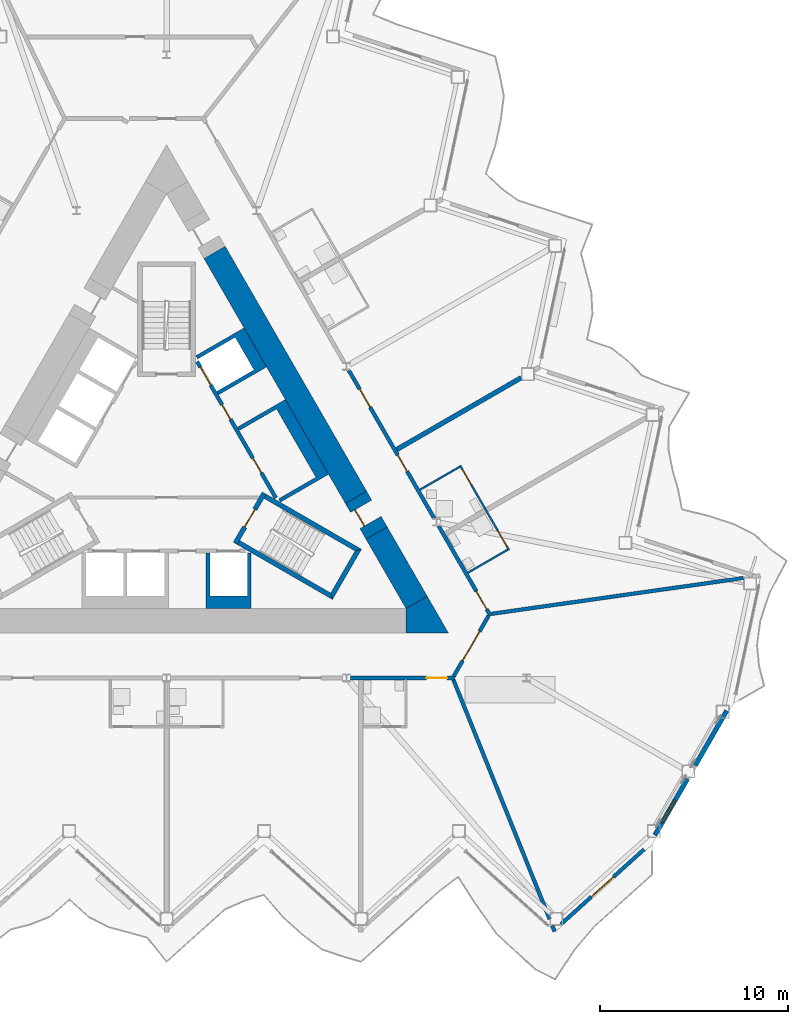
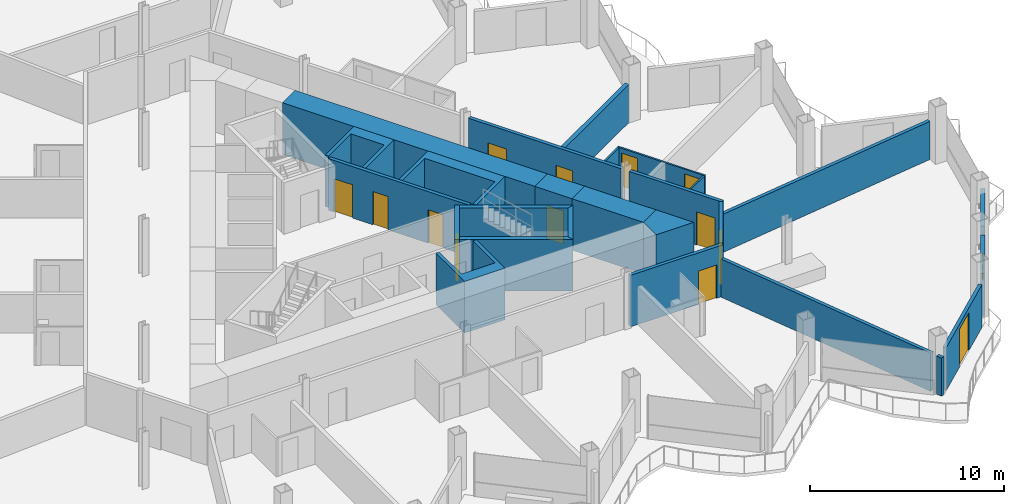
# One storey, part 13 of 24: 26 walls, 13 doors, 1 window, 14 openings.
"""IFC4 building model written with IfcOpenShell, lengths in metres."""

import ifcopenshell
import ifcopenshell.guid

model = None  # the IFC model being written
_history = None  # IfcOwnerHistory: only IFC2X3 demands one
_inside = {}  # id of a spatial element -> (the spatial element, [elements in it])
_under = {}  # id of a project, library or spatial element -> (it, [spatial elements below it])
_declared = {}  # id of a project -> (the project, [libraries it declares])
_typed = {}  # id of a type object -> (the type object, [elements of that type])
_made_of = {}  # id of a material, layer set ... -> (it, [elements and type objects made of it])


def new_model(schema):
    """Start an empty IFC model of exactly this schema.

    Asked for "IFC4X3", IfcOpenShell would pick the latest addendum, in which some entities
    have other attributes; the version numbers below select the first issue.
    IFC2X3 requires an IfcOwnerHistory on every rooted entity: one is made here for all.
    """
    global model, _history
    if schema == "IFC4X3":
        model = ifcopenshell.file(schema_version=(4, 3, 0, 0))
    else:
        model = ifcopenshell.file(schema=schema)
    _inside.clear()
    _under.clear()
    _declared.clear()
    _typed.clear()
    _made_of.clear()
    _history = None
    if model.schema == "IFC2X3":
        org = make("IfcOrganization", Name="unknown")
        user = make(
            "IfcPersonAndOrganization",
            ThePerson=make("IfcPerson", FamilyName="unknown"),
            TheOrganization=org,
        )
        app = make(
            "IfcApplication",
            ApplicationDeveloper=org,
            Version="unknown",
            ApplicationFullName="unknown",
            ApplicationIdentifier="unknown",
        )
        _history = make(
            "IfcOwnerHistory",
            OwningUser=user,
            OwningApplication=app,
            ChangeAction="ADDED",
            CreationDate=0,
        )
    return model


def make(cls, **values):
    """One entity of the class cls with the attributes given. An attribute that is None is left unset."""
    return model.create_entity(
        cls, **{name: value for name, value in values.items() if value is not None}
    )


def rooted(cls, **values):
    """An entity with a GlobalId (a new one), such as an element, a storey or a relation."""
    return make(cls, GlobalId=ifcopenshell.guid.new(), OwnerHistory=_history, **values)


def si_unit(unit_type, name, prefix=None):
    """IfcSIUnit, for example si_unit("LENGTHUNIT", "METRE", prefix="MILLI")."""
    return make("IfcSIUnit", UnitType=unit_type, Prefix=prefix, Name=name)


def assignment(units):
    """IfcUnitAssignment: the units of a project."""
    return None if units is None else make("IfcUnitAssignment", Units=units)


def point(xyz):
    """IfcCartesianPoint."""
    return None if xyz is None else make("IfcCartesianPoint", Coordinates=xyz)


def direction(xyz):
    """IfcDirection."""
    return None if xyz is None else make("IfcDirection", DirectionRatios=xyz)


def frame(location, z_axis=None, x_axis=None):
    """IfcAxis2Placement3D, a coordinate frame: its origin and axes. An axis left out is left unset."""
    return make(
        "IfcAxis2Placement3D",
        Location=point(location),
        Axis=direction(z_axis),
        RefDirection=direction(x_axis),
    )


def frame_2d(location, x_axis=None):
    """IfcAxis2Placement2D, a coordinate frame in the plane: its origin and x axis."""
    return make(
        "IfcAxis2Placement2D", Location=point(location), RefDirection=direction(x_axis)
    )


def origin():
    """The frame at (0, 0, 0) with its axes left unset."""
    return frame((0.0, 0.0, 0.0))


def place(relative_to, where):
    """IfcLocalPlacement: puts the frame where relative to a parent placement (None: the world)."""
    return make(
        "IfcLocalPlacement", PlacementRelTo=relative_to, RelativePlacement=where
    )


def context(
    kind, dimensions, precision=None, world=None, true_north=None, identifier=None
):
    """IfcGeometricRepresentationContext, for example the 3D "Model" context."""
    return make(
        "IfcGeometricRepresentationContext",
        ContextIdentifier=identifier,
        ContextType=kind,
        CoordinateSpaceDimension=dimensions,
        Precision=precision,
        WorldCoordinateSystem=world,
        TrueNorth=true_north,
    )


def subcontext(parent, identifier, kind, view, scale=None):
    """IfcGeometricRepresentationSubContext, for example "Body" below "Model"."""
    return make(
        "IfcGeometricRepresentationSubContext",
        ContextIdentifier=identifier,
        ContextType=kind,
        ParentContext=parent,
        TargetScale=scale,
        TargetView=view,
    )


def project(units=None, contexts=None):
    """IfcProject with its units and contexts."""
    return rooted(
        "IfcProject",
        Name="project",
        RepresentationContexts=contexts,
        UnitsInContext=assignment(units),
    )


def spatial(cls, under=None, at=None, **own):
    """A site, building, storey or space (cls), placed at a placement, below another one or the project."""
    s = rooted(cls, ObjectPlacement=at, **own)
    if under is not None:
        _under.setdefault(under.id(), (under, []))[1].append(s)
    return s


def polyline(points):
    """IfcPolyline through the points."""
    return make("IfcPolyline", Points=[point(p) for p in points])


def profile(cls, at=None, kind="AREA", **sizes):
    """A parametric profile (cls). Its sizes go by their IFC names, for example OverallWidth=200.0."""
    return make(cls, ProfileType=kind, Position=at, **sizes)


def rectangle(**sizes):
    """IfcRectangleProfileDef."""
    return profile("IfcRectangleProfileDef", **sizes)


def outline(outer, holes=None, kind="AREA"):
    """IfcArbitraryClosedProfileDef: a profile drawn as a closed curve; with holes, ...WithVoids."""
    if holes is None:
        return make("IfcArbitraryClosedProfileDef", ProfileType=kind, OuterCurve=outer)
    return make(
        "IfcArbitraryProfileDefWithVoids",
        ProfileType=kind,
        OuterCurve=outer,
        InnerCurves=holes,
    )


def extrude(swept, where, along, depth):
    """IfcExtrudedAreaSolid: the profile swept, set in the frame where, extruded along a direction by depth."""
    return make(
        "IfcExtrudedAreaSolid",
        SweptArea=swept,
        Position=where,
        ExtrudedDirection=direction(along),
        Depth=depth,
    )


def shape(context_of_items, identifier, shape_type, items):
    """IfcShapeRepresentation: the items that make up one representation, for example the "Body"."""
    return make(
        "IfcShapeRepresentation",
        ContextOfItems=context_of_items,
        RepresentationIdentifier=identifier,
        RepresentationType=shape_type,
        Items=items,
    )


def material(Name=None, Category=None):
    """IfcMaterial."""
    return make("IfcMaterial", Name=Name, Category=Category)


def layer(
    of_material, thickness, ventilated=None, Name=None, Category=None, Priority=None
):
    """IfcMaterialLayer: one layer of a wall or slab, of a material (None: an air gap)."""
    return make(
        "IfcMaterialLayer",
        Material=of_material,
        LayerThickness=thickness,
        IsVentilated=ventilated,
        Name=Name,
        Category=Category,
        Priority=Priority,
    )


def layer_set(layers, Name=None):
    """IfcMaterialLayerSet."""
    return make("IfcMaterialLayerSet", MaterialLayers=layers, LayerSetName=Name)


def made_of(thing, what):
    """Note that an element or type object is made of a material, layer set ...; save() writes the relation."""
    if what is not None:
        _made_of.setdefault(what.id(), (what, []))[1].append(thing)
    return thing


def type_object(cls, material=None, **own):
    """A type object (cls), such as IfcWallType, which elements share."""
    return made_of(rooted(cls, **own), material)


def element(
    cls,
    number,
    at=None,
    inside=None,
    cuts=None,
    type_object=None,
    material=None,
    context=None,
    identifier="Body",
    shape_type=None,
    held_by="IfcProductDefinitionShape",
    body=None,
    shapes=None,
    **own,
):
    """One element of the class cls, such as IfcWall. Its Tag is "e" and its number.

    at: its placement. inside: the storey or other place that contains it. cuts: it is an
    opening in that element (IfcRelVoidsElement). A single representation is given by context,
    identifier, shape_type and body (its items); several are given by shapes. held_by: the class
    of the entity that holds the representations. save() writes the other relations.
    """
    e = rooted(cls, Tag="e%d" % number, ObjectPlacement=at, **own)
    if body is not None:
        shapes = [shape(context, identifier, shape_type, body)]
    if shapes is not None:
        e.Representation = make(held_by, Representations=shapes)
    if inside is not None:
        _inside.setdefault(inside.id(), (inside, []))[1].append(e)
    if cuts is not None:
        rooted(
            "IfcRelVoidsElement", RelatingBuildingElement=cuts, RelatedOpeningElement=e
        )
    if type_object is not None:
        _typed.setdefault(type_object.id(), (type_object, []))[1].append(e)
    return made_of(e, material)


def fill(opening, filler):
    """IfcRelFillsElement: the door or window that sits in an opening."""
    return rooted(
        "IfcRelFillsElement",
        RelatingOpeningElement=opening,
        RelatedBuildingElement=filler,
    )


def aggregate(whole, parts):
    """IfcRelAggregates: a whole, such as a stair, and the parts it consists of."""
    return rooted("IfcRelAggregates", RelatingObject=whole, RelatedObjects=parts)


def save(model, path):
    """Write the relations noted so far, then the file.

    IfcRelAggregates (storeys below a building ...), IfcRelContainedInSpatialStructure (elements
    in a storey), IfcRelDefinesByType, IfcRelAssociatesMaterial and IfcRelDeclares: one each for
    every whole, place, type object, material and project.
    """
    for whole, parts in _under.values():
        aggregate(whole, parts)
    for where, things in _inside.values():
        rooted(
            "IfcRelContainedInSpatialStructure",
            RelatedElements=things,
            RelatingStructure=where,
        )
    for kind, things in _typed.values():
        rooted("IfcRelDefinesByType", RelatedObjects=things, RelatingType=kind)
    for what, things in _made_of.values():
        rooted("IfcRelAssociatesMaterial", RelatedObjects=things, RelatingMaterial=what)
    for by, libraries in _declared.values():
        rooted("IfcRelDeclares", RelatingContext=by, RelatedDefinitions=libraries)
    model.write(path)


model = new_model("IFC4")

# Units and contexts
model_context = context("Model", 3, precision=1e-05, world=origin(), true_north=direction((0.0, 1.0)))
body_context = subcontext(model_context, "Body", "Model", "MODEL_VIEW")
ifc_project = project(units=[si_unit("LENGTHUNIT", "METRE"), si_unit("AREAUNIT", "SQUARE_METRE"), si_unit("VOLUMEUNIT", "CUBIC_METRE"), si_unit("PLANEANGLEUNIT", "RADIAN"), si_unit("MASSUNIT", "GRAM", prefix="KILO")], contexts=[model_context])

# Site, building, storey
site_placement = place(None, origin())
site = spatial("IfcSite", under=ifc_project, at=site_placement, CompositionType="ELEMENT")
building_placement = place(site_placement, origin())
building = spatial("IfcBuilding", under=site, at=building_placement, Name="Cormorant Prow Tower", CompositionType="ELEMENT")
storey_placement = place(building_placement, frame((0.0, 0.0, 234.60009765625)))
storey = spatial("IfcBuildingStorey", under=building, at=storey_placement, Name="L51", CompositionType="ELEMENT", Elevation=234.60009765625)

# Walls
ifc_material_1 = material(Name="Concrete 8000 psi", Category="concrete")
ifc_layer_1 = layer(ifc_material_1, 1.300048828125)
ifc_layer_set_1 = layer_set([ifc_layer_1], Name="Concrete 8000 psi")
wall_type_1 = type_object("IfcWallType", Name="Core shear wall 1300", PredefinedType="SHEAR", material=ifc_layer_set_1)
wall_1_placement = place(storey_placement, frame((10.081298828125, -1.440673828125, 0.0), z_axis=(0.0, 0.0, 1.0), x_axis=(-0.500012180433, 0.866018371294, 0.0)))
element("IfcWall", 1, at=wall_1_placement, inside=storey, type_object=wall_type_1, Name="Core wall", PredefinedType="SHEAR", context=body_context, shape_type="SweptSolid", body=[
    extrude(rectangle(XDim=15.05029296875, YDim=1.300048828125, at=frame_2d((7.525146484375, 0.0))), origin(), (0.0, 0.0, 1.0), 3.25),
])
wall_2_placement = place(storey_placement, frame((13.311279296875, -7.035400390625, 0.0), z_axis=(0.0, 0.0, 1.0), x_axis=(-0.500003555838, 0.866023350811, 0.0)))
element("IfcWall", 2, at=wall_2_placement, inside=storey, type_object=wall_type_1, Name="Core wall", PredefinedType="SHEAR", context=body_context, shape_type="SweptSolid", body=[
    extrude(rectangle(XDim=4.26025390625, YDim=1.300048828125, at=frame_2d((2.130126953125, 0.0))), origin(), (0.0, 0.0, 1.0), 3.25),
])
wall_3_placement = place(storey_placement, origin())
element("IfcWall", 3, at=wall_3_placement, inside=storey, type_object=wall_type_1, Name="Core wall corner", PredefinedType="SHEAR", context=body_context, shape_type="SweptSolid", body=[
    extrude(outline(polyline([(12.748291015625, -8.660400390625), (12.748291015625, -7.3603515625), (13.874267578125, -6.710205078125), (15.0, -8.660400390625), (12.748291015625, -8.660400390625)])), origin(), (0.0, 0.0, 1.0), 3.25),
])

# Wall, opening, door
wall_4_placement = place(storey_placement, frame((11.18115234375, -3.345947265625, 0.0), z_axis=(0.0, 0.0, 1.0), x_axis=(-0.499946605688, 0.86605622881, 0.0)))
wall_4 = element("IfcWall", 4, at=wall_4_placement, inside=storey, type_object=wall_type_1, Name="Core wall door panel", PredefinedType="SHEAR", context=body_context, shape_type="SweptSolid", body=[
    extrude(rectangle(XDim=2.199951171875, YDim=1.300048828125, at=frame_2d((1.10009765625, 0.0))), origin(), (0.0, 0.0, 1.0), 3.25),
])
opening_1_placement = place(wall_4_placement, frame((0.64990234375, 0.0, 0.0)))
opening_1 = element("IfcOpeningElement", 5, at=opening_1_placement, cuts=wall_4, Name="Opening L51-C15", PredefinedType="OPENING", context=body_context, shape_type="SweptSolid", body=[
    extrude(rectangle(XDim=1.0, YDim=2.10009765625, at=frame_2d((0.5, 1.050048828125))), frame((0.0, 0.659912109375, 0.0), z_axis=(0.0, -1.0, 0.0), x_axis=(1.0, 0.0, 0.0)), (0.0, 0.0, 1.0), 1.320068359375),
])
ifc_material_2 = material(Name="Painted steel", Category="steel")
door_type_1 = type_object("IfcDoorType", Name="Service door 1000x2100", OperationType="NOTDEFINED", PredefinedType="DOOR", material=ifc_material_2)
door_1_placement = place(opening_1_placement, origin())
door_1 = element("IfcDoor", 6, at=door_1_placement, inside=storey, type_object=door_type_1, Name="Core door, Electrical room", OperationType="SINGLE_SWING_LEFT", OverallHeight=2.10009765625, OverallWidth=1.0, PredefinedType="DOOR", context=body_context, shape_type="SweptSolid", body=[
    extrude(rectangle(XDim=1.0, YDim=2.10009765625, at=frame_2d((0.5, 1.050048828125))), frame((0.0, 0.40478515625, 0.0), z_axis=(0.0, -1.0, 0.0), x_axis=(1.0, 0.0, 0.0)), (0.0, 0.0, 1.0), 0.050048828125),
])
fill(opening_1, door_1)

# Wall, openings, doors
ifc_material_3 = material(Name="Gypsum board corridor wall")
ifc_layer_2 = layer(ifc_material_3, 0.199951171875)
ifc_layer_set_2 = layer_set([ifc_layer_2], Name="Gypsum board corridor wall")
wall_type_2 = type_object("IfcWallType", Name="Corridor wall 200", PredefinedType="PARTITIONING", material=ifc_layer_set_2)
wall_5_placement = place(storey_placement, frame((9.699462890625, 5.320556640625, 0.0), z_axis=(0.0, 0.0, 1.0), x_axis=(0.49998193945, -0.866035830797, 0.0)))
wall_5 = element("IfcWall", 7, at=wall_5_placement, inside=storey, type_object=wall_type_2, Name="Corridor wall", PredefinedType="PARTITIONING", context=body_context, shape_type="SweptSolid", body=[
    extrude(rectangle(XDim=9.094482421875, YDim=0.199951171875, at=frame_2d((4.54736328125, 0.0))), origin(), (0.0, 0.0, 1.0), 3.25),
])
opening_2_placement = place(wall_5_placement, frame((5.2119140625, 0.0, 0.0)))
opening_2 = element("IfcOpeningElement", 8, at=opening_2_placement, cuts=wall_5, Name="Opening L51-F12", PredefinedType="OPENING", context=body_context, shape_type="SweptSolid", body=[
    extrude(rectangle(XDim=1.0, YDim=2.10009765625, at=frame_2d((0.5, 1.050048828125))), frame((0.0, 0.10986328125, 0.0), z_axis=(0.0, -1.0, 0.0), x_axis=(1.0, 0.0, 0.0)), (0.0, 0.0, 1.0), 0.219970703125),
])
opening_3_placement = place(wall_5_placement, frame((1.16162109375, 0.0, 0.0)))
opening_3 = element("IfcOpeningElement", 9, at=opening_3_placement, cuts=wall_5, Name="Opening L51-F14", PredefinedType="OPENING", context=body_context, shape_type="SweptSolid", body=[
    extrude(rectangle(XDim=1.10009765625, YDim=2.10009765625, at=frame_2d((0.550048828125, 1.050048828125))), frame((0.0, 0.10986328125, 0.0), z_axis=(0.0, -1.0, 0.0), x_axis=(1.0, 0.0, 0.0)), (0.0, 0.0, 1.0), 0.219970703125),
])
ifc_material_4 = material(Name="Timber door leaf", Category="wood")
door_type_2 = type_object("IfcDoorType", Name="Flat or room entrance door 1000x2100", OperationType="NOTDEFINED", PredefinedType="DOOR", material=ifc_material_4)
door_2_placement = place(opening_2_placement, origin())
door_2 = element("IfcDoor", 10, at=door_2_placement, inside=storey, type_object=door_type_2, Name="Guest room door", OperationType="SINGLE_SWING_LEFT", OverallHeight=2.10009765625, OverallWidth=1.0, PredefinedType="DOOR", context=body_context, shape_type="SweptSolid", body=[
    extrude(rectangle(XDim=1.0, YDim=2.10009765625, at=frame_2d((0.5, 1.050048828125))), frame((0.0, 0.02490234375, 0.0), z_axis=(0.0, -1.0, 0.0), x_axis=(1.0, 0.0, 0.0)), (0.0, 0.0, 1.0), 0.050048828125),
])
fill(opening_2, door_2)
ifc_material_5 = material(Name="Timber door leaf", Category="wood")
door_type_3 = type_object("IfcDoorType", Name="Suite entrance door 1100x2100", OperationType="NOTDEFINED", PredefinedType="DOOR", material=ifc_material_5)
door_3_placement = place(opening_3_placement, origin())
door_3 = element("IfcDoor", 11, at=door_3_placement, inside=storey, type_object=door_type_3, Name="Junior suite door", OperationType="SINGLE_SWING_RIGHT", OverallHeight=2.10009765625, OverallWidth=1.10009765625, PredefinedType="DOOR", context=body_context, shape_type="SweptSolid", body=[
    extrude(rectangle(XDim=1.10009765625, YDim=2.10009765625, at=frame_2d((0.550048828125, 1.050048828125))), frame((0.0, 0.02490234375, 0.0), z_axis=(0.0, -1.0, 0.0), x_axis=(1.0, 0.0, 0.0)), (0.0, 0.0, 1.0), 0.050048828125),
])
fill(opening_3, door_3)

# Wall, opening, door
wall_6_placement = place(storey_placement, frame((9.7880859375, -11.060302734375, 0.0), z_axis=(0.0, 0.0, 1.0), x_axis=(1.0, 0.0, 0.0)))
wall_6 = element("IfcWall", 12, at=wall_6_placement, inside=storey, type_object=wall_type_2, Name="Corridor wall", PredefinedType="PARTITIONING", context=body_context, shape_type="SweptSolid", body=[
    extrude(rectangle(XDim=5.542724609375, YDim=0.199951171875, at=frame_2d((2.771484375, 0.0))), origin(), (0.0, 0.0, 1.0), 3.25),
])
opening_4_placement = place(wall_6_placement, frame((4.039794921875, 0.0, 0.0)))
opening_4 = element("IfcOpeningElement", 13, at=opening_4_placement, cuts=wall_6, Name="Opening L51-F07", PredefinedType="OPENING", context=body_context, shape_type="SweptSolid", body=[
    extrude(rectangle(XDim=1.10009765625, YDim=2.10009765625, at=frame_2d((0.550048828125, 1.050048828125))), frame((0.0, 0.10986328125, 0.0), z_axis=(0.0, -1.0, 0.0), x_axis=(1.0, 0.0, 0.0)), (0.0, 0.0, 1.0), 0.219970703125),
])
door_4_placement = place(opening_4_placement, origin())
door_4 = element("IfcDoor", 14, at=door_4_placement, inside=storey, type_object=door_type_3, Name="Junior suite door", OperationType="SINGLE_SWING_RIGHT", OverallHeight=2.10009765625, OverallWidth=1.10009765625, PredefinedType="DOOR", context=body_context, shape_type="SweptSolid", body=[
    extrude(rectangle(XDim=1.10009765625, YDim=2.10009765625, at=frame_2d((0.550048828125, 1.050048828125))), frame((0.0, 0.02490234375, 0.0), z_axis=(0.0, -1.0, 0.0), x_axis=(1.0, 0.0, 0.0)), (0.0, 0.0, 1.0), 0.050048828125),
])
fill(opening_4, door_4)

wall_7_placement = place(storey_placement, frame((14.488525390625, -2.974609375, 0.0), z_axis=(0.0, 0.0, 1.0), x_axis=(0.500017753321, -0.866015153657, 0.0)))
wall_7 = element("IfcWall", 15, at=wall_7_placement, inside=storey, type_object=wall_type_2, Name="Corridor wall", PredefinedType="PARTITIONING", context=body_context, shape_type="SweptSolid", body=[
    extrude(rectangle(XDim=5.510498046875, YDim=0.199951171875, at=frame_2d((2.75537109375, 0.0))), origin(), (0.0, 0.0, 1.0), 3.25),
])
opening_5_placement = place(wall_7_placement, frame((4.009765625, 0.0, 0.0)))
opening_5 = element("IfcOpeningElement", 16, at=opening_5_placement, cuts=wall_7, Name="Opening L51-F10", PredefinedType="OPENING", context=body_context, shape_type="SweptSolid", body=[
    extrude(rectangle(XDim=1.10009765625, YDim=2.10009765625, at=frame_2d((0.550048828125, 1.050048828125))), frame((0.0, 0.10986328125, 0.0), z_axis=(0.0, -1.0, 0.0), x_axis=(1.0, 0.0, 0.0)), (0.0, 0.0, 1.0), 0.219970703125),
])
door_5_placement = place(opening_5_placement, origin())
door_5 = element("IfcDoor", 17, at=door_5_placement, inside=storey, type_object=door_type_3, Name="Junior suite door", OperationType="SINGLE_SWING_RIGHT", OverallHeight=2.10009765625, OverallWidth=1.10009765625, PredefinedType="DOOR", context=body_context, shape_type="SweptSolid", body=[
    extrude(rectangle(XDim=1.10009765625, YDim=2.10009765625, at=frame_2d((0.550048828125, 1.050048828125))), frame((0.0, 0.02490234375, 0.0), z_axis=(0.0, -1.0, 0.0), x_axis=(1.0, 0.0, 0.0)), (0.0, 0.0, 1.0), 0.050048828125),
])
fill(opening_5, door_5)

wall_8_placement = place(storey_placement, frame((15.281005859375, -10.9736328125, 0.0), z_axis=(0.0, 0.0, 1.0), x_axis=(0.499958791762, 0.866049194065, 0.0)))
wall_8 = element("IfcWall", 18, at=wall_8_placement, inside=storey, type_object=wall_type_2, Name="Corridor wall", PredefinedType="PARTITIONING", context=body_context, shape_type="SweptSolid", body=[
    extrude(rectangle(XDim=3.725830078125, YDim=0.199951171875, at=frame_2d((1.86279296875, 0.0))), origin(), (0.0, 0.0, 1.0), 3.25),
])
opening_6_placement = place(wall_8_placement, frame((0.962890625, 0.0, 0.0)))
opening_6 = element("IfcOpeningElement", 19, at=opening_6_placement, cuts=wall_8, Name="Opening L51-F09", PredefinedType="OPENING", context=body_context, shape_type="SweptSolid", body=[
    extrude(rectangle(XDim=1.800048828125, YDim=2.10009765625, at=frame_2d((0.89990234375, 1.050048828125))), frame((0.0, 0.10986328125, 0.0), z_axis=(0.0, -1.0, 0.0), x_axis=(1.0, 0.0, 0.0)), (0.0, 0.0, 1.0), 0.219970703125),
])
ifc_material_6 = material(Name="Timber door leaf", Category="wood")
door_type_4 = type_object("IfcDoorType", Name="Double door 1800x2100", OperationType="DOUBLE_DOOR_SINGLE_SWING", PredefinedType="DOOR", material=ifc_material_6)
door_6_placement = place(opening_6_placement, origin())
door_6 = element("IfcDoor", 20, at=door_6_placement, inside=storey, type_object=door_type_4, Name="Co-working space door", OperationType="DOUBLE_DOOR_SINGLE_SWING", OverallHeight=2.10009765625, OverallWidth=1.800048828125, PredefinedType="DOOR", context=body_context, shape_type="SweptSolid", body=[
    extrude(rectangle(XDim=1.800048828125, YDim=2.10009765625, at=frame_2d((0.89990234375, 1.050048828125))), frame((0.0, 0.02490234375, 0.0), z_axis=(0.0, -1.0, 0.0), x_axis=(1.0, 0.0, 0.0)), (0.0, 0.0, 1.0), 0.050048828125),
])
fill(opening_6, door_6)

# Walls
ifc_material_7 = material(Name="Gypsum board demising wall")
ifc_layer_3 = layer(ifc_material_7, 0.199951171875)
ifc_layer_set_3 = layer_set([ifc_layer_3], Name="Gypsum board demising wall")
wall_type_3 = type_object("IfcWallType", Name="Demising wall 200", PredefinedType="PARTITIONING", material=ifc_layer_set_3)
wall_9_placement = place(storey_placement, frame((15.268310546875, -11.153076171875, 0.0), z_axis=(0.0, 0.0, 1.0), x_axis=(0.373096979113, -0.927792349708, 0.0)))
element("IfcWall", 21, at=wall_9_placement, inside=storey, type_object=wall_type_3, Name="Demising wall", PredefinedType="PARTITIONING", context=body_context, shape_type="SweptSolid", body=[
    extrude(rectangle(XDim=13.73583984375, YDim=0.199951171875, at=frame_2d((6.867919921875, 0.0))), origin(), (0.0, 0.0, 1.0), 2.404052734375),
])
wall_10_placement = place(storey_placement, frame((17.29296875, -7.64599609375, 0.0), z_axis=(0.0, 0.0, 1.0), x_axis=(0.990042285303, 0.140770285614, 0.0)))
element("IfcWall", 22, at=wall_10_placement, inside=storey, type_object=wall_type_3, Name="Demising wall", PredefinedType="PARTITIONING", context=body_context, shape_type="SweptSolid", body=[
    extrude(rectangle(XDim=13.544921875, YDim=0.199951171875, at=frame_2d((6.7724609375, 0.0))), origin(), (0.0, 0.0, 1.0), 2.404052734375),
])
wall_11_placement = place(storey_placement, frame((20.53369140625, -24.246826171875, 0.0), z_axis=(0.0, 0.0, 1.0), x_axis=(0.372801499492, -0.927911117498, 0.0)))
element("IfcWall", 23, at=wall_11_placement, inside=storey, type_object=wall_type_3, Name="Demising wall", PredefinedType="PARTITIONING", context=body_context, shape_type="SweptSolid", body=[
    extrude(rectangle(XDim=0.328125, YDim=0.199951171875, at=frame_2d((0.1640625, 0.0))), origin(), (0.0, 0.0, 1.0), 2.404052734375),
])

# Wall, openings, doors
ifc_material_8 = material(Name="Gypsum board partition")
ifc_layer_4 = layer(ifc_material_8, 0.10009765625)
ifc_layer_set_4 = layer_set([ifc_layer_4], Name="Gypsum board partition")
wall_type_4 = type_object("IfcWallType", Name="Internal partition 100", PredefinedType="PARTITIONING", material=ifc_layer_set_4)
wall_12_placement = place(storey_placement, frame((15.626953125, 0.253662109375, 0.0), z_axis=(0.0, 0.0, 1.0), x_axis=(0.500027264788, -0.866009661879, 0.0)))
wall_12 = element("IfcWall", 24, at=wall_12_placement, inside=storey, type_object=wall_type_4, Name="Internal partition", PredefinedType="PARTITIONING", context=body_context, shape_type="SweptSolid", body=[
    extrude(rectangle(XDim=5.199951171875, YDim=0.10009765625, at=frame_2d((2.60009765625, 0.0))), origin(), (0.0, 0.0, 1.0), 2.404052734375),
])
opening_7_placement = place(wall_12_placement, frame((4.0, 0.0, 0.0)))
opening_7 = element("IfcOpeningElement", 25, at=opening_7_placement, cuts=wall_12, Name="Opening L51-F11", PredefinedType="OPENING", context=body_context, shape_type="SweptSolid", body=[
    extrude(rectangle(XDim=0.949951171875, YDim=2.10009765625, at=frame_2d((0.47509765625, 1.050048828125))), frame((0.0, 0.06005859375, 0.0), z_axis=(0.0, -1.0, 0.0), x_axis=(1.0, 0.0, 0.0)), (0.0, 0.0, 1.0), 0.1201171875),
])
opening_8_placement = place(wall_12_placement, frame((0.25, 0.0, 0.0)))
opening_8 = element("IfcOpeningElement", 26, at=opening_8_placement, cuts=wall_12, Name="Opening L51-F13", PredefinedType="OPENING", context=body_context, shape_type="SweptSolid", body=[
    extrude(rectangle(XDim=0.949951171875, YDim=2.10009765625, at=frame_2d((0.47509765625, 1.050048828125))), frame((0.0, 0.06005859375, 0.0), z_axis=(0.0, -1.0, 0.0), x_axis=(1.0, 0.0, 0.0)), (0.0, 0.0, 1.0), 0.1201171875),
])
ifc_material_9 = material(Name="Timber door leaf", Category="wood")
door_type_5 = type_object("IfcDoorType", Name="Bathroom door 950x2100", OperationType="NOTDEFINED", PredefinedType="DOOR", material=ifc_material_9)
door_7_placement = place(opening_7_placement, origin())
door_7 = element("IfcDoor", 27, at=door_7_placement, inside=storey, type_object=door_type_5, Name="Junior suite door", OperationType="SINGLE_SWING_RIGHT", OverallHeight=2.10009765625, OverallWidth=0.949951171875, PredefinedType="DOOR", context=body_context, shape_type="SweptSolid", body=[
    extrude(rectangle(XDim=0.949951171875, YDim=2.10009765625, at=frame_2d((0.47509765625, 1.050048828125))), frame((0.0, 0.02490234375, 0.0), z_axis=(0.0, -1.0, 0.0), x_axis=(1.0, 0.0, 0.0)), (0.0, 0.0, 1.0), 0.050048828125),
])
fill(opening_7, door_7)
door_8_placement = place(opening_8_placement, origin())
door_8 = element("IfcDoor", 28, at=door_8_placement, inside=storey, type_object=door_type_5, Name="Guest room door", OperationType="SINGLE_SWING_LEFT", OverallHeight=2.10009765625, OverallWidth=0.949951171875, PredefinedType="DOOR", context=body_context, shape_type="SweptSolid", body=[
    extrude(rectangle(XDim=0.949951171875, YDim=2.10009765625, at=frame_2d((0.47509765625, 1.050048828125))), frame((0.0, 0.02490234375, 0.0), z_axis=(0.0, -1.0, 0.0), x_axis=(1.0, 0.0, 0.0)), (0.0, 0.0, 1.0), 0.050048828125),
])
fill(opening_8, door_8)

# Walls
wall_13_placement = place(storey_placement, frame((16.037109375, -5.456298828125, 0.0), z_axis=(0.0, 0.0, 1.0), x_axis=(0.865989751695, 0.500061746146, 0.0)))
element("IfcWall", 29, at=wall_13_placement, inside=storey, type_object=wall_type_4, Name="Internal partition", PredefinedType="PARTITIONING", context=body_context, shape_type="SweptSolid", body=[
    extrude(rectangle(XDim=2.449951171875, YDim=0.10009765625, at=frame_2d((1.22509765625, 0.0))), origin(), (0.0, 0.0, 1.0), 2.404052734375),
])
wall_14_placement = place(storey_placement, frame((13.487060546875, -1.03955078125, 0.0), z_axis=(0.0, 0.0, 1.0), x_axis=(0.866032905446, 0.499987006516, 0.0)))
element("IfcWall", 30, at=wall_14_placement, inside=storey, type_object=wall_type_4, Name="Internal partition", PredefinedType="PARTITIONING", context=body_context, shape_type="SweptSolid", body=[
    extrude(rectangle(XDim=2.44970703125, YDim=0.10009765625, at=frame_2d((1.224853515625, 0.0))), origin(), (0.0, 0.0, 1.0), 2.404052734375),
])

# Wall, openings, doors
ifc_material_10 = material(Name="Concrete 5000 psi", Category="concrete")
ifc_layer_5 = layer(ifc_material_10, 0.199951171875)
ifc_layer_set_5 = layer_set([ifc_layer_5], Name="Concrete 5000 psi")
wall_type_5 = type_object("IfcWallType", Name="Lift lobby wall 200", PredefinedType="SOLIDWALL", material=ifc_layer_set_5)
wall_15_placement = place(storey_placement, frame((5.817138671875, -1.4755859375, 0.0), z_axis=(0.0, 0.0, 1.0), x_axis=(-0.500002616675, 0.866023893041, 0.0)))
wall_15 = element("IfcWall", 31, at=wall_15_placement, inside=storey, type_object=wall_type_5, Name="Lift lobby wall, ENE block", PredefinedType="SOLIDWALL", context=body_context, shape_type="SweptSolid", body=[
    extrude(rectangle(XDim=8.373046875, YDim=0.199951171875, at=frame_2d((4.1865234375, 0.0))), origin(), (0.0, 0.0, 1.0), 3.25),
])
opening_9_placement = place(wall_15_placement, frame((1.53662109375, 0.0, 0.0)))
opening_9 = element("IfcOpeningElement", 32, at=opening_9_placement, cuts=wall_15, Name="Opening L51-C05", PredefinedType="OPENING", context=body_context, shape_type="SweptSolid", body=[
    extrude(rectangle(XDim=0.89990234375, YDim=2.10009765625, at=frame_2d((0.449951171875, 1.050048828125))), frame((0.0, 0.10986328125, 0.0), z_axis=(0.0, -1.0, 0.0), x_axis=(1.0, 0.0, 0.0)), (0.0, 0.0, 1.0), 0.219970703125),
])
opening_10_placement = place(wall_15_placement, frame((4.836669921875, 0.0, 0.0)))
opening_10 = element("IfcOpeningElement", 33, at=opening_10_placement, cuts=wall_15, Name="Opening L51-C06", PredefinedType="OPENING", context=body_context, shape_type="SweptSolid", body=[
    extrude(rectangle(XDim=0.89990234375, YDim=2.10009765625, at=frame_2d((0.449951171875, 1.050048828125))), frame((0.0, 0.10986328125, 0.0), z_axis=(0.0, -1.0, 0.0), x_axis=(1.0, 0.0, 0.0)), (0.0, 0.0, 1.0), 0.219970703125),
])
opening_11_placement = place(wall_15_placement, frame((6.9365234375, 0.0, 0.0)))
opening_11 = element("IfcOpeningElement", 34, at=opening_11_placement, cuts=wall_15, Name="Opening L51-C07", PredefinedType="OPENING", context=body_context, shape_type="SweptSolid", body=[
    extrude(rectangle(XDim=1.10009765625, YDim=2.10009765625, at=frame_2d((0.550048828125, 1.050048828125))), frame((0.0, 0.10986328125, 0.0), z_axis=(0.0, -1.0, 0.0), x_axis=(1.0, 0.0, 0.0)), (0.0, 0.0, 1.0), 0.219970703125),
])
ifc_material_11 = material(Name="Painted steel", Category="steel")
door_type_6 = type_object("IfcDoorType", Name="Lift landing door 1100x2100", OperationType="SLIDING_TO_LEFT", PredefinedType="DOOR", material=ifc_material_11)
door_9_placement = place(opening_11_placement, origin())
door_9 = element("IfcDoor", 35, at=door_9_placement, inside=storey, type_object=door_type_6, Name="Landing door MR1", OperationType="SLIDING_TO_LEFT", OverallHeight=2.10009765625, OverallWidth=1.10009765625, PredefinedType="DOOR", context=body_context, shape_type="SweptSolid", body=[
    extrude(rectangle(XDim=1.10009765625, YDim=2.10009765625, at=frame_2d((0.550048828125, 1.050048828125))), frame((0.0, 0.02490234375, 0.0), z_axis=(0.0, -1.0, 0.0), x_axis=(1.0, 0.0, 0.0)), (0.0, 0.0, 1.0), 0.050048828125),
])
fill(opening_11, door_9)
ifc_material_12 = material(Name="Painted steel", Category="steel")
door_type_7 = type_object("IfcDoorType", Name="Service door 900x2100", OperationType="NOTDEFINED", PredefinedType="DOOR", material=ifc_material_12)
door_10_placement = place(opening_9_placement, origin())
door_10 = element("IfcDoor", 36, at=door_10_placement, inside=storey, type_object=door_type_7, Name="Service door, Telecom room", OperationType="SINGLE_SWING_LEFT", OverallHeight=2.10009765625, OverallWidth=0.89990234375, PredefinedType="DOOR", context=body_context, shape_type="SweptSolid", body=[
    extrude(rectangle(XDim=0.89990234375, YDim=2.10009765625, at=frame_2d((0.449951171875, 1.050048828125))), frame((0.0, 0.02490234375, 0.0), z_axis=(0.0, -1.0, 0.0), x_axis=(1.0, 0.0, 0.0)), (0.0, 0.0, 1.0), 0.050048828125),
])
fill(opening_9, door_10)
door_11_placement = place(opening_10_placement, origin())
door_11 = element("IfcDoor", 37, at=door_11_placement, inside=storey, type_object=door_type_7, Name="Service door, Electrical room", OperationType="SINGLE_SWING_RIGHT", OverallHeight=2.10009765625, OverallWidth=0.89990234375, PredefinedType="DOOR", context=body_context, shape_type="SweptSolid", body=[
    extrude(rectangle(XDim=0.89990234375, YDim=2.10009765625, at=frame_2d((0.449951171875, 1.050048828125))), frame((0.0, 0.02490234375, 0.0), z_axis=(0.0, -1.0, 0.0), x_axis=(1.0, 0.0, 0.0)), (0.0, 0.0, 1.0), 0.050048828125),
])
fill(opening_10, door_11)

# Walls
ifc_material_13 = material(Name="Concrete 8000 psi", Category="concrete")
ifc_layer_6 = layer(ifc_material_13, 0.199951171875)
ifc_layer_set_6 = layer_set([ifc_layer_6], Name="Concrete 8000 psi")
wall_type_6 = type_object("IfcWallType", Name="Lift shaft wall 200", PredefinedType="SHEAR", material=ifc_layer_set_6)
wall_16_placement = place(storey_placement, origin())
element("IfcWall", 38, at=wall_16_placement, inside=storey, type_object=wall_type_6, Name="Lift shaft walls, S block", PredefinedType="SHEAR", context=body_context, shape_type="SweptSolid", body=[
    extrude(outline(polyline([(2.10009765625, -7.3603515625), (2.10009765625, -4.39990234375), (2.300048828125, -4.39990234375), (2.300048828125, -6.699951171875), (4.300048828125, -6.699951171875), (4.300048828125, -4.39990234375), (4.5, -4.39990234375), (4.5, -7.3603515625), (2.10009765625, -7.3603515625)])), origin(), (0.0, 0.0, 1.0), 3.25),
])
wall_17_placement = place(storey_placement, origin())
element("IfcWall", 39, at=wall_17_placement, inside=storey, type_object=wall_type_6, Name="Lift shaft walls, ENE block", PredefinedType="SHEAR", context=body_context, shape_type="SweptSolid", body=[
    extrude(outline(polyline([(6.32421875, 3.7666015625), (8.624267578125, -0.217041015625), (8.230712890625, -0.444091796875), (6.060546875, -1.697021484375), (5.96044921875, -1.52392578125), (7.952392578125, -0.373779296875), (5.852294921875, 3.263427734375), (3.860595703125, 2.11328125), (3.760498046875, 2.28662109375), (5.930908203125, 3.53955078125), (6.32421875, 3.7666015625)])), origin(), (0.0, 0.0, 1.0), 3.25),
])
wall_18_placement = place(storey_placement, origin())
element("IfcWall", 40, at=wall_18_placement, inside=storey, type_object=wall_type_6, Name="Lift shaft walls, ENE block", PredefinedType="SHEAR", context=body_context, shape_type="SweptSolid", body=[
    extrude(outline(polyline([(5.32421875, 5.498779296875), (4.930908203125, 5.271728515625), (2.760498046875, 4.018798828125), (2.660400390625, 4.19189453125), (4.65234375, 5.341796875), (3.65234375, 7.073974609375), (1.660400390625, 5.923828125), (1.560546875, 6.09716796875), (3.730712890625, 7.35009765625), (4.124267578125, 7.5771484375), (5.32421875, 5.498779296875)])), origin(), (0.0, 0.0, 1.0), 3.25),
])
ifc_material_14 = material(Name="Concrete 8000 psi", Category="concrete")
ifc_layer_7 = layer(ifc_material_14, 0.25)
ifc_layer_set_7 = layer_set([ifc_layer_7], Name="Concrete 8000 psi")
wall_type_7 = type_object("IfcWallType", Name="Stair wall 250", PredefinedType="SHEAR", material=ifc_layer_set_7)
wall_19_placement = place(storey_placement, origin())
element("IfcWall", 41, at=wall_19_placement, inside=storey, type_object=wall_type_7, Name="Stair ST2 enclosure wall (flank)", PredefinedType="SHEAR", context=body_context, shape_type="SweptSolid", body=[
    extrude(outline(polyline([(3.76318359375, -3.95556640625), (8.82958984375, -6.880615234375), (8.738037109375, -6.5390625), (3.88818359375, -3.739013671875), (3.76318359375, -3.95556640625)])), origin(), (0.0, 0.0, 1.0), 3.25),
])
wall_20_placement = place(storey_placement, origin())
element("IfcWall", 42, at=wall_20_placement, inside=storey, type_object=wall_type_7, Name="Stair ST2 enclosure wall (end)", PredefinedType="SHEAR", context=body_context, shape_type="SweptSolid", body=[
    extrude(outline(polyline([(8.82958984375, -6.880615234375), (10.37353515625, -4.206298828125), (10.031982421875, -4.2978515625), (8.738037109375, -6.5390625), (8.82958984375, -6.880615234375)])), origin(), (0.0, 0.0, 1.0), 3.25),
])
wall_21_placement = place(storey_placement, origin())
element("IfcWall", 43, at=wall_21_placement, inside=storey, type_object=wall_type_7, Name="Stair ST2 enclosure wall (flank)", PredefinedType="SHEAR", context=body_context, shape_type="SweptSolid", body=[
    extrude(outline(polyline([(10.031982421875, -4.2978515625), (10.37353515625, -4.206298828125), (5.30712890625, -1.28125), (5.18212890625, -1.497802734375), (10.031982421875, -4.2978515625)])), origin(), (0.0, 0.0, 1.0), 3.25),
])

# Wall, opening, door
wall_22_placement = place(storey_placement, frame((3.655029296875, -3.89306640625, 0.0), z_axis=(0.0, 0.0, 1.0), x_axis=(0.499982516597, 0.866035497597, 0.0)))
wall_22 = element("IfcWall", 44, at=wall_22_placement, inside=storey, type_object=wall_type_7, Name="Stair ST2 door wall", PredefinedType="SHEAR", context=body_context, shape_type="SweptSolid", body=[
    extrude(rectangle(XDim=3.087890625, YDim=0.25, at=frame_2d((1.5439453125, 0.0))), origin(), (0.0, 0.0, 1.0), 3.25),
])
opening_12_placement = place(wall_22_placement, frame((0.993896484375, 0.0, 0.0)))
opening_12 = element("IfcOpeningElement", 45, at=opening_12_placement, cuts=wall_22, Name="Opening L51-C12", PredefinedType="OPENING", context=body_context, shape_type="SweptSolid", body=[
    extrude(rectangle(XDim=1.10009765625, YDim=2.10009765625, at=frame_2d((0.550048828125, 1.050048828125))), frame((0.0, 0.135009765625, 0.0), z_axis=(0.0, -1.0, 0.0), x_axis=(1.0, 0.0, 0.0)), (0.0, 0.0, 1.0), 0.27001953125),
])
ifc_material_15 = material(Name="Painted steel", Category="steel")
door_type_8 = type_object("IfcDoorType", Name="Stair door 1100x2100", OperationType="NOTDEFINED", PredefinedType="DOOR", material=ifc_material_15)
door_12_placement = place(opening_12_placement, origin())
door_12 = element("IfcDoor", 46, at=door_12_placement, inside=storey, type_object=door_type_8, Name="Stair ST2 door", OperationType="SINGLE_SWING_RIGHT", OverallHeight=2.10009765625, OverallWidth=1.10009765625, PredefinedType="DOOR", context=body_context, shape_type="SweptSolid", body=[
    extrude(rectangle(XDim=1.10009765625, YDim=2.10009765625, at=frame_2d((0.550048828125, 1.050048828125))), frame((0.0, 0.02490234375, 0.0), z_axis=(0.0, -1.0, 0.0), x_axis=(1.0, 0.0, 0.0)), (0.0, 0.0, 1.0), 0.050048828125),
])
fill(opening_12, door_12)

# Wall
ifc_material_16 = material(Name="Acoustic gypsum party wall")
ifc_layer_8 = layer(ifc_material_16, 0.25)
ifc_layer_set_8 = layer_set([ifc_layer_8], Name="Acoustic gypsum party wall")
wall_type_8 = type_object("IfcWallType", Name="Suite party wall 250", PredefinedType="PARTITIONING", material=ifc_layer_set_8)
wall_23_placement = place(storey_placement, frame((12.2509765625, 1.10107421875, 0.0), z_axis=(0.0, 0.0, 1.0), x_axis=(0.866020808234, 0.500007959642, 0.0)))
element("IfcWall", 47, at=wall_23_placement, inside=storey, type_object=wall_type_8, Name="Suite party wall", PredefinedType="PARTITIONING", context=body_context, shape_type="SweptSolid", body=[
    extrude(rectangle(XDim=7.64892578125, YDim=0.25, at=frame_2d((3.824462890625, 0.0))), origin(), (0.0, 0.0, 1.0), 2.404052734375),
])

# Wall, opening, window
ifc_material_17 = material(Name="Terracotta", Category="masonry")
ifc_layer_9 = layer(ifc_material_17, 0.25)
ifc_layer_set_9 = layer_set([ifc_layer_9], Name="Terracotta")
wall_type_9 = type_object("IfcWallType", Name="Terracotta bay wall 250", PredefinedType="SOLIDWALL", material=ifc_layer_set_9)
wall_24_placement = place(storey_placement, frame((26.001708984375, -19.426513671875, 0.0), z_axis=(0.0, 0.0, 1.0), x_axis=(0.499987726745, 0.866032489635, 0.0)))
wall_24 = element("IfcWall", 48, at=wall_24_placement, inside=storey, type_object=wall_type_9, Name="Terracotta bay wall ESE00", PredefinedType="SOLIDWALL", context=body_context, shape_type="SweptSolid", body=[
    extrude(rectangle(XDim=3.4521484375, YDim=0.25, at=frame_2d((1.72607421875, 0.0))), origin(), (0.0, 0.0, 1.0), 2.70068359375),
])
opening_13_placement = place(wall_24_placement, frame((0.75, 0.0, 1.800048828125)))
opening_13 = element("IfcOpeningElement", 49, at=opening_13_placement, cuts=wall_24, Name="Opening WN4", PredefinedType="OPENING", context=body_context, shape_type="SweptSolid", body=[
    extrude(rectangle(XDim=1.39990234375, YDim=0.699951171875, at=frame_2d((0.699951171875, 0.35009765625))), frame((0.0, 0.135009765625, 0.0), z_axis=(0.0, -1.0, 0.0), x_axis=(1.0, 0.0, 0.0)), (0.0, 0.0, 1.0), 0.27001953125),
])
ifc_material_18 = material(Name="Aluminium 6063-T6", Category="aluminium")
window_type = type_object("IfcWindowType", Name="Corner bay window 1400x700", PartitioningType="SINGLE_PANEL", PredefinedType="WINDOW", material=ifc_material_18)
window_placement = place(opening_13_placement, origin())
window = element("IfcWindow", 50, at=window_placement, inside=storey, type_object=window_type, Name="Corner bay window ESE00", OverallHeight=0.699951171875, OverallWidth=1.39990234375, PartitioningType="SINGLE_PANEL", PredefinedType="WINDOW", context=body_context, shape_type="SweptSolid", body=[
    extrude(rectangle(XDim=1.39990234375, YDim=0.699951171875, at=frame_2d((0.699951171875, 0.35009765625))), frame((0.0, 0.030029296875, 0.0), z_axis=(0.0, -1.0, 0.0), x_axis=(1.0, 0.0, 0.0)), (0.0, 0.0, 1.0), 0.06005859375),
])
fill(opening_13, window)

# Wall
wall_25_placement = place(storey_placement, frame((28.146484375, -15.711669921875, 0.0), z_axis=(0.0, 0.0, 1.0), x_axis=(0.500003693016, 0.86602327161, 0.0)))
element("IfcWall", 51, at=wall_25_placement, inside=storey, type_object=wall_type_9, Name="Terracotta bay wall ESE01", PredefinedType="SOLIDWALL", context=body_context, shape_type="SweptSolid", body=[
    extrude(rectangle(XDim=3.3564453125, YDim=0.25, at=frame_2d((1.67822265625, 0.0))), origin(), (0.0, 0.0, 1.0), 2.70068359375),
])

# Wall, opening, door
ifc_material_19 = material(Name="Terracotta", Category="masonry")
ifc_layer_10 = layer(ifc_material_19, 0.199951171875)
ifc_layer_set_10 = layer_set([ifc_layer_10], Name="Terracotta")
wall_type_10 = type_object("IfcWallType", Name="Terracotta jamb wall 200", PredefinedType="SOLIDWALL", material=ifc_layer_set_10)
wall_26_placement = place(storey_placement, frame((20.992919921875, -24.170166015625, 0.0), z_axis=(0.0, 0.0, 1.0), x_axis=(0.743143336638, 0.669132259878, 0.0)))
wall_26 = element("IfcWall", 52, at=wall_26_placement, inside=storey, type_object=wall_type_10, Name="Terracotta jamb wall S09", PredefinedType="SOLIDWALL", context=body_context, shape_type="SweptSolid", body=[
    extrude(rectangle(XDim=5.95751953125, YDim=0.199951171875, at=frame_2d((2.978759765625, 0.0))), origin(), (0.0, 0.0, 1.0), 2.70068359375),
])
opening_14_placement = place(wall_26_placement, frame((2.1787109375, 0.0, 0.0)))
opening_14 = element("IfcOpeningElement", 53, at=opening_14_placement, cuts=wall_26, Name="Opening ED51.05", PredefinedType="OPENING", context=body_context, shape_type="SweptSolid", body=[
    extrude(rectangle(XDim=1.60009765625, YDim=2.39990234375, at=frame_2d((0.800048828125, 1.199951171875))), frame((0.0, 0.10986328125, 0.0), z_axis=(0.0, -1.0, 0.0), x_axis=(1.0, 0.0, 0.0)), (0.0, 0.0, 1.0), 0.219970703125),
])
ifc_material_20 = material(Name="Aluminium 6063-T6", Category="aluminium")
door_type_9 = type_object("IfcDoorType", Name="Balcony door 1600x2400", OperationType="DOUBLE_DOOR_SINGLE_SWING", PredefinedType="DOOR", material=ifc_material_20)
door_13_placement = place(opening_14_placement, origin())
door_13 = element("IfcDoor", 54, at=door_13_placement, inside=storey, type_object=door_type_9, Name="Balcony door S09 ED51.05", OperationType="DOUBLE_DOOR_SINGLE_SWING", OverallHeight=2.39990234375, OverallWidth=1.60009765625, PredefinedType="DOOR", context=body_context, shape_type="SweptSolid", body=[
    extrude(rectangle(XDim=1.60009765625, YDim=2.39990234375, at=frame_2d((0.800048828125, 1.199951171875))), frame((0.0, 0.02490234375, 0.0), z_axis=(0.0, -1.0, 0.0), x_axis=(1.0, 0.0, 0.0)), (0.0, 0.0, 1.0), 0.050048828125),
])
fill(opening_14, door_13)

save(model, "model.ifc")
